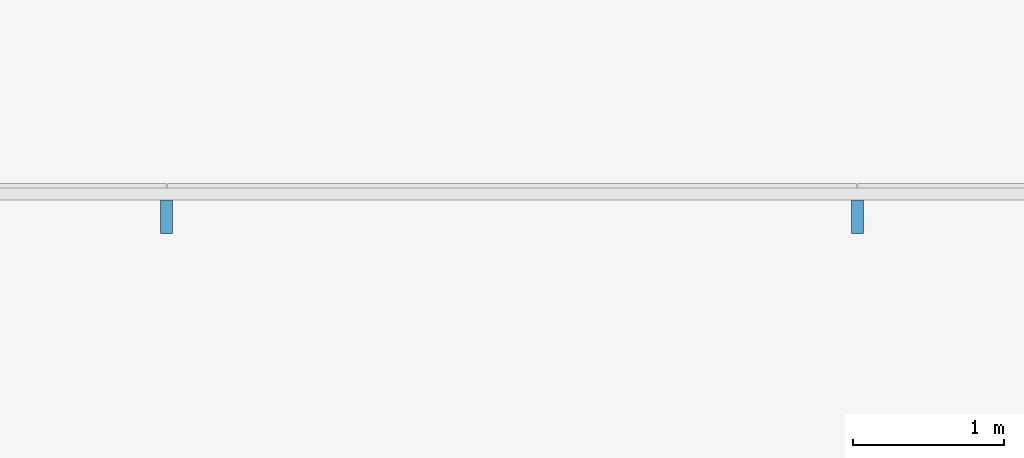
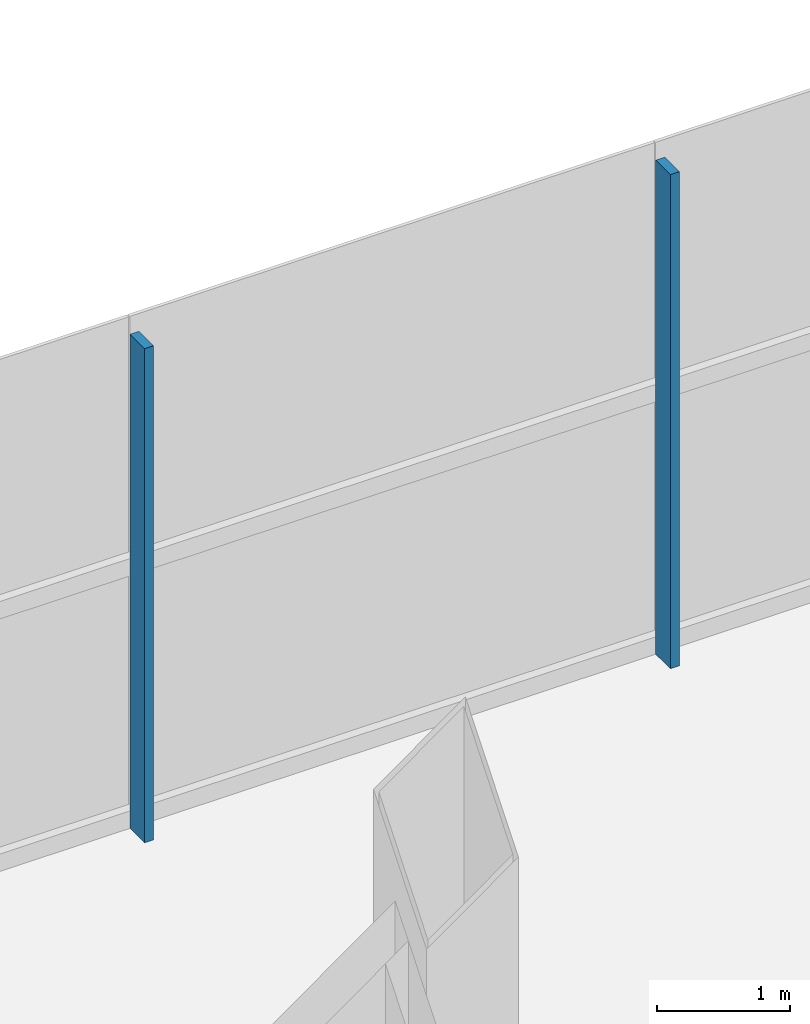
# One storey, part 14 of 33: 2 members, 1 element without a shape of its own.
"""IFC4 building model written with IfcOpenShell, lengths in metres."""

from ifc_helpers import new_model, si_unit, direction, frame, origin, origin_2d, place, context, subcontext, project, spatial, rectangle, extrude, material, layer, layer_set, material_profile, profile_set, type_object, element, aggregate, save


model = new_model("IFC4")

# Units and contexts
model_context = context("Model", 3, precision=1e-05, world=origin(), true_north=direction((0.0, 1.0)))
body_context = subcontext(model_context, "Body", "Model", "MODEL_VIEW")
ifc_project = project(units=[si_unit("LENGTHUNIT", "METRE"), si_unit("AREAUNIT", "SQUARE_METRE"), si_unit("VOLUMEUNIT", "CUBIC_METRE"), si_unit("PLANEANGLEUNIT", "RADIAN"), si_unit("MASSUNIT", "GRAM", prefix="KILO")], contexts=[model_context])

# Site, building, storey
site_placement = place(None, origin())
site = spatial("IfcSite", under=ifc_project, at=site_placement, CompositionType="ELEMENT")
building_placement = place(site_placement, origin())
building = spatial("IfcBuilding", under=site, at=building_placement, Name="Shamsa Quay Exchange Towers", CompositionType="ELEMENT")
storey_placement = place(building_placement, frame((0.0, 0.0, 18.5)))
storey = spatial("IfcBuildingStorey", under=building, at=storey_placement, Name="L03", CompositionType="ELEMENT", Elevation=18.5)

# Curtain wall, members
ifc_material = material(Name="Aluminium EN AW-6063 T6, black anodised", Category="aluminium")
ifc_layer = layer(ifc_material, 0.33203125)
ifc_layer_set = layer_set([ifc_layer], Name="CW-3 PODIUM SHOPFRONT GLAZING")
curtain_wall_type = type_object("IfcCurtainWallType", Name="CW-3 PODIUM SHOPFRONT GLAZING", PredefinedType="NOTDEFINED", material=ifc_layer_set)
curtain_wall_placement = place(storey_placement, origin())
curtain_wall = element("IfcCurtainWall", 1, at=curtain_wall_placement, inside=storey, type_object=curtain_wall_type, Name="CW3 PODIUM-L03-F01", PredefinedType="NOTDEFINED")
ifc_material_profile = material_profile(ifc_material, rectangle(XDim=0.219970703125, YDim=0.080078125, at=origin_2d()), Name="MU80x220")
ifc_profile_set = profile_set([ifc_material_profile], Name="Aluminium EN AW-6063 T6, black anodised")
member_type = type_object("IfcMemberType", Name="CW3 MULLION 80x220", PredefinedType="MULLION", material=ifc_profile_set)
member_1_placement = place(storey_placement, frame((58.419677734375, 29.06005859375, 0.0), z_axis=(0.0, 0.0, 1.0), x_axis=(0.0, -1.0, 0.0)))
member_1 = element("IfcMember", 2, at=member_1_placement, type_object=member_type, Name="CW3 mullion", PredefinedType="MULLION", context=body_context, shape_type="SweptSolid", body=[
    extrude(rectangle(XDim=0.219970703125, YDim=0.080078125, at=origin_2d()), origin(), (0.0, 0.0, 1.0), 4.550048828125),
])
member_2_placement = place(storey_placement, frame((53.83935546875, 29.06005859375, 0.0), z_axis=(0.0, 0.0, 1.0), x_axis=(0.0, -1.0, 0.0)))
member_2 = element("IfcMember", 3, at=member_2_placement, type_object=member_type, Name="CW3 mullion", PredefinedType="MULLION", context=body_context, shape_type="SweptSolid", body=[
    extrude(rectangle(XDim=0.219970703125, YDim=0.080078125, at=origin_2d()), origin(), (0.0, 0.0, 1.0), 4.550048828125),
])
aggregate(curtain_wall, [member_1, member_2])

save(model, "model.ifc")
